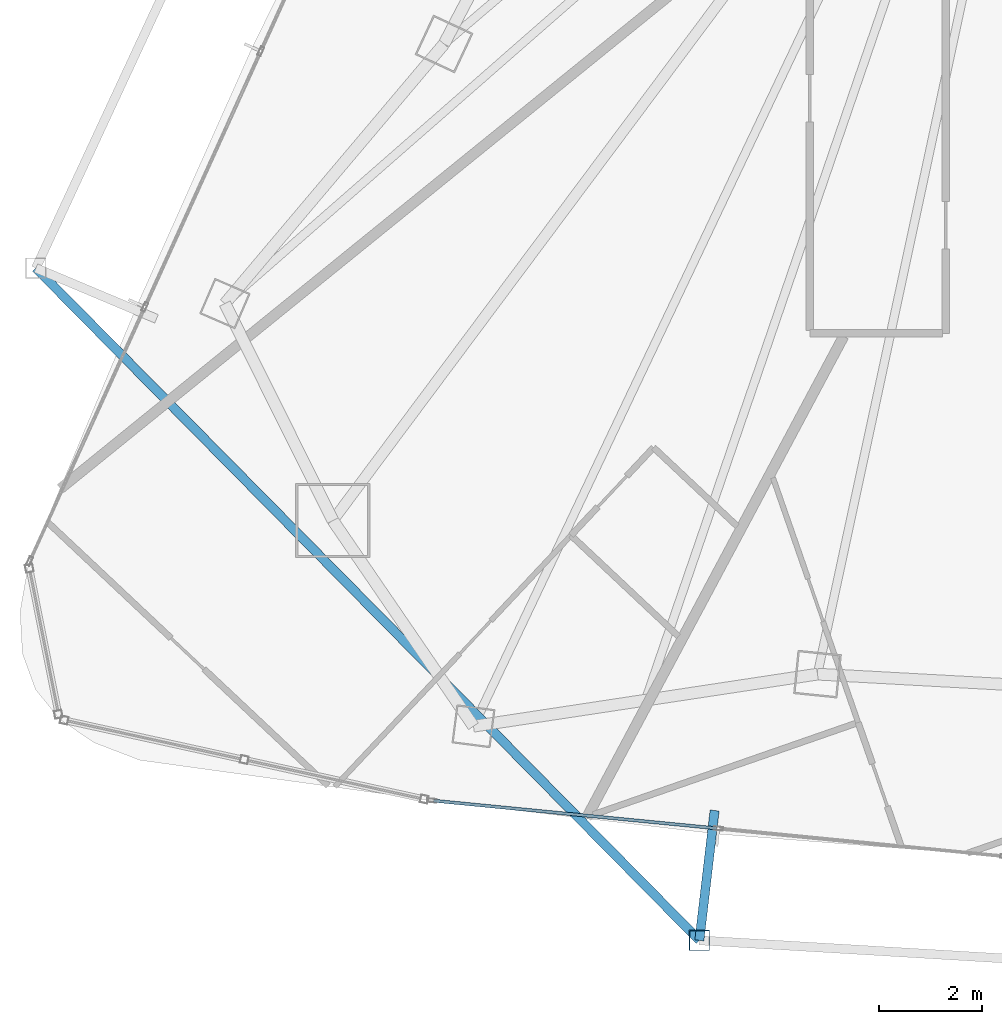
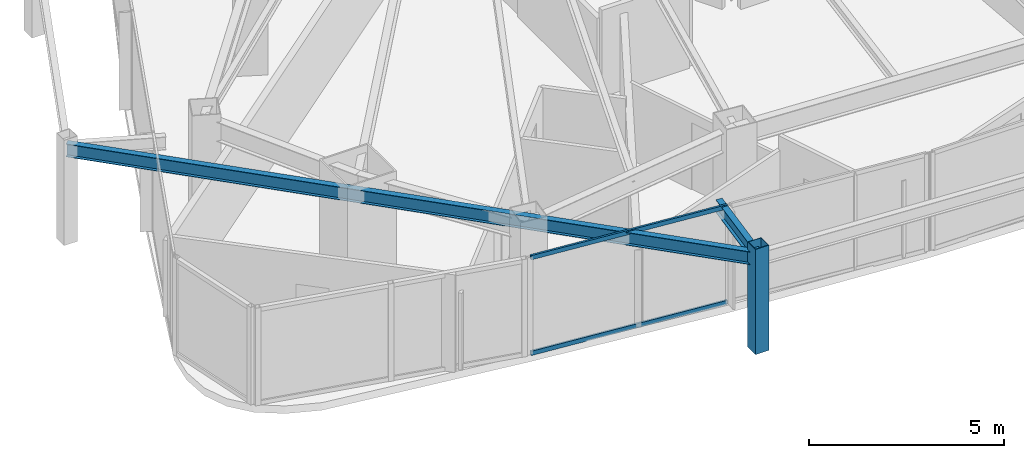
# One storey, part 3 of 29: 3 members, 2 beams, 1 element without a shape of its own.
"""IFC4 building model written with IfcOpenShell, lengths in metres."""

from ifc_helpers import new_model, si_unit, direction, frame, origin, origin_2d, place, context, subcontext, project, spatial, hollow_rectangle, i_section, extrude, material, layer, layer_set, material_profile, profile_set, type_object, element, aggregate, save


model = new_model("IFC4")

# Units and contexts
model_context = context("Model", 3, precision=1e-05, world=origin(), true_north=direction((0.0, 1.0)))
body_context = subcontext(model_context, "Body", "Model", "MODEL_VIEW")
ifc_project = project(units=[si_unit("LENGTHUNIT", "METRE"), si_unit("AREAUNIT", "SQUARE_METRE"), si_unit("VOLUMEUNIT", "CUBIC_METRE"), si_unit("PLANEANGLEUNIT", "RADIAN"), si_unit("MASSUNIT", "GRAM", prefix="KILO")], contexts=[model_context])

# Site, building, storey
site_placement = place(None, origin())
site = spatial("IfcSite", under=ifc_project, at=site_placement, CompositionType="ELEMENT")
building_placement = place(site_placement, origin())
building = spatial("IfcBuilding", under=site, at=building_placement, Name="Orvanel Arch Residences", CompositionType="ELEMENT")
storey_placement = place(building_placement, frame((0.0, 0.0, 163.85009765625)))
storey = spatial("IfcBuildingStorey", under=building, at=storey_placement, Name="L46", CompositionType="ELEMENT", Elevation=163.85009765625)

# Beams
ifc_material_1 = material(Name="Structural steel AS/NZS 3679.1 Grade 300 (300 MPa)", Category="steel")
ifc_material_profile_1 = material_profile(ifc_material_1, i_section(OverallWidth=0.177978515625, OverallDepth=0.406005859375, WebThickness=0.0078125, FlangeThickness=0.0126953125, at=origin_2d()), Name="410UB59.7")
ifc_profile_set_1 = profile_set([ifc_material_profile_1], Name="Structural steel AS/NZS 3679.1 Grade 300 (300 MPa)")
beam_type = type_object("IfcBeamType", Name="OB-410UB-EXT", PredefinedType="SPANDREL", material=ifc_profile_set_1)
beam_1_placement = place(storey_placement, frame((8.408935546875, 15.27197265625, 2.85693359375), z_axis=(0.702451850816, -0.711731267604, 0.0), x_axis=(0.711731267604, 0.702451850816, 0.0)))
element("IfcBeam", 1, at=beam_1_placement, inside=storey, type_object=beam_type, Name="L46 Outer Perimeter Floor Ring Beam 04", PredefinedType="SPANDREL", context=body_context, shape_type="SweptSolid", body=[
    extrude(i_section(OverallWidth=0.177978515625, OverallDepth=0.406005859375, WebThickness=0.0078125, FlangeThickness=0.0126953125, at=origin_2d()), origin(), (0.0, 0.0, 1.0), 18.4169921875),
])
beam_2_placement = place(storey_placement, frame((21.64306640625, 4.696044921875, 2.85693359375), z_axis=(-0.11654675499, -0.993185206244, 0.0), x_axis=(0.993185206244, -0.11654675499, 0.0)))
element("IfcBeam", 2, at=beam_2_placement, inside=storey, type_object=beam_type, Name="L46 Outer Frame Radial Tie Beam 05", PredefinedType="SPANDREL", context=body_context, shape_type="SweptSolid", body=[
    extrude(i_section(OverallWidth=0.177978515625, OverallDepth=0.406005859375, WebThickness=0.0078125, FlangeThickness=0.0126953125, at=origin_2d()), origin(), (0.0, 0.0, 1.0), 2.54931640625),
])

# Member
ifc_material_2 = material(Name="Structural steel AS/NZS 1163 C450L0 (Grade 450)", Category="steel")
ifc_material_profile_2 = material_profile(ifc_material_2, hollow_rectangle(XDim=0.39990234375, YDim=0.39990234375, WallThickness=0.01611328125, at=origin_2d()), Name="SHS400x400x16")
ifc_profile_set_2 = profile_set([ifc_material_profile_2], Name="Structural steel AS/NZS 1163 C450L0 (Grade 450)")
member_type_1 = type_object("IfcMemberType", Name="ST-400SHS-EXT", PredefinedType="STRUT", material=ifc_profile_set_2)
member_1_placement = place(storey_placement, frame((21.345947265625, 2.1640625, 0.0), z_axis=(0.0, 0.0, 1.0), x_axis=(1.0, 0.0, 0.0)))
element("IfcMember", 3, at=member_1_placement, inside=storey, type_object=member_type_1, Name="L46 Outer Perimeter Frame Post 05", PredefinedType="STRUT", context=body_context, shape_type="SweptSolid", body=[
    extrude(hollow_rectangle(XDim=0.39990234375, YDim=0.39990234375, WallThickness=0.01611328125, at=origin_2d()), origin(), (0.0, 0.0, 1.0), 3.2998046875),
])

# Curtain wall, members
ifc_material_3 = material(Name="Bronze-anodised aluminium AA6063-T6", Category="aluminium")
ifc_layer = layer(ifc_material_3, 0.179931640625)
ifc_layer_set = layer_set([ifc_layer], Name="Bronze-anodised aluminium AA6063-T6")
curtain_wall_type = type_object("IfcCurtainWallType", Name="CW3-MID-SYS", PredefinedType="NOTDEFINED", material=ifc_layer_set)
curtain_wall_placement = place(storey_placement, origin())
curtain_wall = element("IfcCurtainWall", 4, at=curtain_wall_placement, inside=storey, type_object=curtain_wall_type, Name="L46 CW3-MID-SYS Unitised Curtain Wall", PredefinedType="NOTDEFINED")
ifc_material_profile_3 = material_profile(ifc_material_3, hollow_rectangle(XDim=0.06005859375, YDim=0.135009765625, WallThickness=0.00390625, at=origin_2d()), Name="ALU135x60x4")
ifc_profile_set_3 = profile_set([ifc_material_profile_3], Name="Bronze-anodised aluminium AA6063-T6")
member_type_2 = type_object("IfcMemberType", Name="TRN-135x60", PredefinedType="USERDEFINED", material=ifc_profile_set_3)
member_2_placement = place(storey_placement, frame((16.165771484375, 4.88720703125, 0.02978515625), z_axis=(0.995255824689, -0.097292566125, 0.0), x_axis=(0.097292566125, 0.995255824689, 0.0)))
member_2 = element("IfcMember", 5, at=member_2_placement, type_object=member_type_2, Name="CW-S3 transom 1.1", ObjectType="TRANSOM", PredefinedType="USERDEFINED", context=body_context, shape_type="SweptSolid", body=[
    extrude(hollow_rectangle(XDim=0.06005859375, YDim=0.135009765625, WallThickness=0.00390625, at=origin_2d()), origin(), (0.0, 0.0, 1.0), 5.543212890625),
])
member_3_placement = place(storey_placement, frame((16.165771484375, 4.88720703125, 3.02978515625), z_axis=(0.995255824689, -0.097292566125, 0.0), x_axis=(0.097292566125, 0.995255824689, 0.0)))
member_3 = element("IfcMember", 6, at=member_3_placement, type_object=member_type_2, Name="CW-S3 transom 1.2", ObjectType="TRANSOM", PredefinedType="USERDEFINED", context=body_context, shape_type="SweptSolid", body=[
    extrude(hollow_rectangle(XDim=0.06005859375, YDim=0.135009765625, WallThickness=0.00390625, at=origin_2d()), origin(), (0.0, 0.0, 1.0), 5.543212890625),
])
aggregate(curtain_wall, [member_2, member_3])

save(model, "model.ifc")
